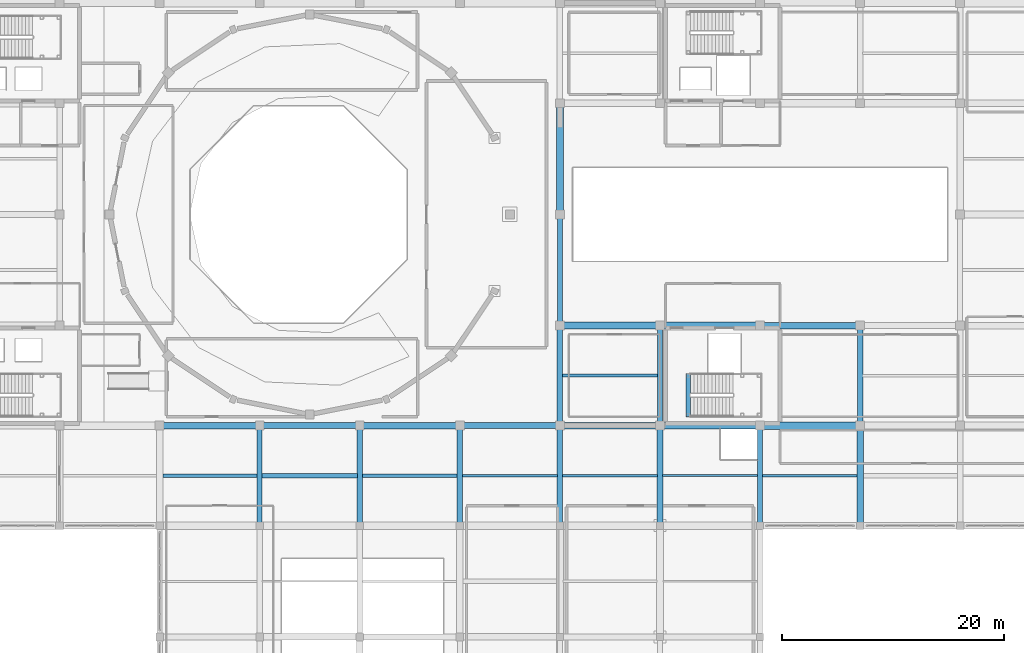
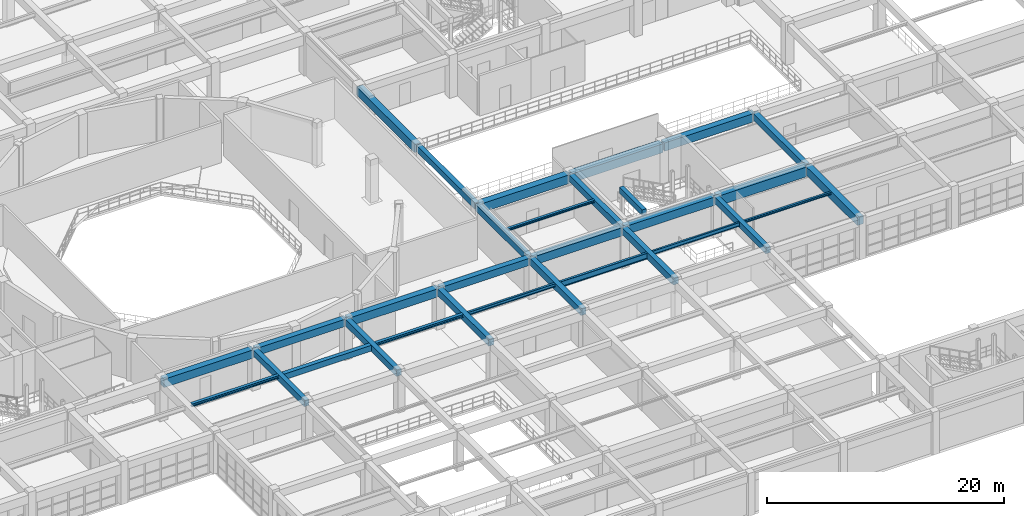
# One storey, part 47 of 133: 31 beams.
"""IFC4 building model written with IfcOpenShell, lengths in metres."""

from ifc_helpers import new_model, si_unit, direction, frame, origin, origin_2d, place, context, subcontext, project, spatial, rectangle, i_section, extrude, material, material_profile, profile_set, type_object, element, save


model = new_model("IFC4")

# Units and contexts
model_context = context("Model", 3, precision=1e-05, world=origin(), true_north=direction((0.0, 1.0)))
body_context = subcontext(model_context, "Body", "Model", "MODEL_VIEW")
ifc_project = project(units=[si_unit("LENGTHUNIT", "METRE"), si_unit("AREAUNIT", "SQUARE_METRE"), si_unit("VOLUMEUNIT", "CUBIC_METRE"), si_unit("PLANEANGLEUNIT", "RADIAN"), si_unit("MASSUNIT", "GRAM", prefix="KILO")], contexts=[model_context])

# Site, building, storey
site_placement = place(None, origin())
site = spatial("IfcSite", under=ifc_project, at=site_placement, CompositionType="ELEMENT")
building_placement = place(site_placement, origin())
building = spatial("IfcBuilding", under=site, at=building_placement, Name="Miravela Opera House", CompositionType="ELEMENT")
storey_placement = place(building_placement, frame((0.0, 0.0, 5.10009765625)))
storey = spatial("IfcBuildingStorey", under=building, at=storey_placement, Name="L01", CompositionType="ELEMENT", Elevation=5.10009765625)

# Beams
ifc_material_1 = material(Name="Concrete C35/45", Category="concrete")
ifc_material_profile_1 = material_profile(ifc_material_1, rectangle(XDim=0.39990234375, YDim=0.60009765625, at=origin_2d()), Name="RC-BM-400X600")
ifc_profile_set_1 = profile_set([ifc_material_profile_1])
beam_type_1 = type_object("IfcBeamType", Name="STR-BM-RC400X600", PredefinedType="JOIST", material=ifc_profile_set_1)
beam_1_placement = place(storey_placement, frame((72.2099609375, 32.5, 3.85986328125), z_axis=(1.0, 0.0, 0.0), x_axis=(0.0, 1.0, 0.0)))
element("IfcBeam", 1, at=beam_1_placement, inside=storey, type_object=beam_type_1, Name="Secondary Floor Joist L01 9-10/D-E", PredefinedType="JOIST", context=body_context, shape_type="SweptSolid", body=[
    extrude(rectangle(XDim=0.39990234375, YDim=0.60009765625, at=origin_2d()), origin(), (0.0, 0.0, 1.0), 8.56494140625),
])
beam_2_placement = place(storey_placement, frame((110.5400390625, 37.800048828125, 4.119873046875), z_axis=(0.0, 1.0, 0.0), x_axis=(-1.0, 0.0, 0.0)))
element("IfcBeam", 2, at=beam_2_placement, inside=storey, type_object=beam_type_1, Name="Stair K4 Opening Header Trimmer Beam 02", PredefinedType="JOIST", context=body_context, shape_type="SweptSolid", body=[
    extrude(rectangle(XDim=0.39990234375, YDim=0.60009765625, at=origin_2d()), origin(), (0.0, 0.0, 1.0), 3.8798828125),
])
ifc_material_profile_2 = material_profile(ifc_material_1, rectangle(XDim=0.449951171875, YDim=0.64990234375, at=origin_2d()), Name="RC-BM-450X650")
ifc_profile_set_2 = profile_set([ifc_material_profile_2])
beam_type_2 = type_object("IfcBeamType", Name="STR-BM-RC450X650", PredefinedType="BEAM", material=ifc_profile_set_2)
beam_3_placement = place(storey_placement, frame((72.0, 28.080078125, 3.8349609375), z_axis=(0.0, 1.0, 0.0), x_axis=(-1.0, 0.0, 0.0)))
element("IfcBeam", 3, at=beam_3_placement, inside=storey, type_object=beam_type_2, Name="Floor Girder L01 9/D-E", PredefinedType="BEAM", context=body_context, shape_type="SweptSolid", body=[
    extrude(rectangle(XDim=0.449951171875, YDim=0.64990234375, at=origin_2d()), origin(), (0.0, 0.0, 1.0), 8.83984375),
])
beam_4_placement = place(storey_placement, frame((99.0, 46.080078125, 3.8349609375), z_axis=(0.0, 1.0, 0.0), x_axis=(-1.0, 0.0, 0.0)))
element("IfcBeam", 4, at=beam_4_placement, inside=storey, type_object=beam_type_2, Name="Floor Girder L01 12/F-G", PredefinedType="BEAM", context=body_context, shape_type="SweptSolid", body=[
    extrude(rectangle(XDim=0.449951171875, YDim=0.64990234375, at=origin_2d()), origin(), (0.0, 0.0, 1.0), 9.83984375),
])
beam_5_placement = place(storey_placement, frame((117.0, 28.080078125, 3.8349609375), z_axis=(0.0, 1.0, 0.0), x_axis=(-1.0, 0.0, 0.0)))
element("IfcBeam", 5, at=beam_5_placement, inside=storey, type_object=beam_type_2, Name="Floor Girder L01 14/D-E", PredefinedType="BEAM", context=body_context, shape_type="SweptSolid", body=[
    extrude(rectangle(XDim=0.449951171875, YDim=0.64990234375, at=origin_2d()), origin(), (0.0, 0.0, 1.0), 8.83984375),
])
ifc_material_profile_3 = material_profile(ifc_material_1, rectangle(XDim=0.47998046875, YDim=0.679931640625, at=origin_2d()), Name="RC-BM-480X680")
ifc_profile_set_3 = profile_set([ifc_material_profile_3])
beam_type_3 = type_object("IfcBeamType", Name="STR-BM-RC480X680", PredefinedType="BEAM", material=ifc_profile_set_3)
for number, where, z_axis, x_axis, name in (
    (6, (81.0, 28.080078125, 3.81982421875), (0.0, 1.0, 0.0), (-1.0, 0.0, 0.0), "Floor Girder L01 10/D-E"),
    (7, (99.0, 37.080078125, 3.81982421875), (0.0, 1.0, 0.0), (-1.0, 0.0, 0.0), "Floor Girder L01 12/E-F"),
    (8, (108.0, 37.080078125, 3.81982421875), (0.0, 1.0, 0.0), (-1.0, 0.0, 0.0), "Floor Girder L01 13/E-F"),
):
    element("IfcBeam", number, at=place(storey_placement, frame(where, z_axis=z_axis, x_axis=x_axis)), inside=storey, type_object=beam_type_3, Name=name, PredefinedType="BEAM", context=body_context, shape_type="SweptSolid", body=[
        extrude(rectangle(XDim=0.47998046875, YDim=0.679931640625, at=origin_2d()), origin(), (0.0, 0.0, 1.0), 8.83984375),
    ])
ifc_material_profile_4 = material_profile(ifc_material_1, rectangle(XDim=0.5, YDim=0.699951171875, at=origin_2d()), Name="RC-BM-500X700")
ifc_profile_set_4 = profile_set([ifc_material_profile_4])
beam_type_4 = type_object("IfcBeamType", Name="STR-BM-RC500X700", PredefinedType="BEAM", material=ifc_profile_set_4)
for number, where, z_axis, x_axis, name in (
    (9, (90.0, 28.080078125, 3.809814453125), (0.0, 1.0, 0.0), (-1.0, 0.0, 0.0), "Floor Girder L01 11/D-E"),
    (10, (99.0, 28.080078125, 3.809814453125), (0.0, 1.0, 0.0), (-1.0, 0.0, 0.0), "Floor Girder L01 12/D-E"),
    (11, (108.0, 28.080078125, 3.809814453125), (0.0, 1.0, 0.0), (-1.0, 0.0, 0.0), "Floor Girder L01 13/D-E"),
    (12, (126.0, 37.080078125, 3.809814453125), (0.0, 1.0, 0.0), (-1.0, 0.0, 0.0), "Floor Girder L01 15/E-F"),
):
    element("IfcBeam", number, at=place(storey_placement, frame(where, z_axis=z_axis, x_axis=x_axis)), inside=storey, type_object=beam_type_4, Name=name, PredefinedType="BEAM", context=body_context, shape_type="SweptSolid", body=[
        extrude(rectangle(XDim=0.5, YDim=0.699951171875, at=origin_2d()), origin(), (0.0, 0.0, 1.0), 8.83984375),
    ])
ifc_material_profile_5 = material_profile(ifc_material_1, rectangle(XDim=0.550048828125, YDim=0.75, at=origin_2d()), Name="RC-BM-550X750")
ifc_profile_set_5 = profile_set([ifc_material_profile_5])
beam_type_5 = type_object("IfcBeamType", Name="STR-BM-RC550X750", PredefinedType="BEAM", material=ifc_profile_set_5)
for number, where, z_axis, x_axis, name in (
    (13, (72.080078125, 37.0, 3.784912109375), (1.0, 0.0, 0.0), (0.0, 1.0, 0.0), "Floor Girder L01 9-10/E"),
    (14, (90.080078125, 37.0, 3.784912109375), (1.0, 0.0, 0.0), (0.0, 1.0, 0.0), "Floor Girder L01 11-12/E"),
):
    element("IfcBeam", number, at=place(storey_placement, frame(where, z_axis=z_axis, x_axis=x_axis)), inside=storey, type_object=beam_type_5, Name=name, PredefinedType="BEAM", context=body_context, shape_type="SweptSolid", body=[
        extrude(rectangle(XDim=0.550048828125, YDim=0.75, at=origin_2d()), origin(), (0.0, 0.0, 1.0), 8.83984375),
    ])
ifc_material_2 = material(Name="Concrete C40/50", Category="concrete")
ifc_material_profile_6 = material_profile(ifc_material_2, rectangle(XDim=0.60009765625, YDim=0.85009765625, at=origin_2d()), Name="RC-BM-600X850")
ifc_profile_set_6 = profile_set([ifc_material_profile_6])
beam_type_6 = type_object("IfcBeamType", Name="STR-BM-RC600X850", PredefinedType="BEAM", material=ifc_profile_set_6)
for number, where, z_axis, x_axis, name in (
    (15, (63.080078125, 37.0, 3.73486328125), (1.0, 0.0, 0.0), (0.0, 1.0, 0.0), "Floor Girder L01 8-9/E"),
    (16, (81.080078125, 37.0, 3.73486328125), (1.0, 0.0, 0.0), (0.0, 1.0, 0.0), "Floor Girder L01 10-11/E"),
    (17, (99.080078125, 37.0, 3.73486328125), (1.0, 0.0, 0.0), (0.0, 1.0, 0.0), "Floor Girder L01 12-13/E"),
    (18, (108.080078125, 37.0, 3.73486328125), (1.0, 0.0, 0.0), (0.0, 1.0, 0.0), "Floor Girder L01 13-14/E"),
    (19, (117.080078125, 46.0, 3.73486328125), (1.0, 0.0, 0.0), (0.0, 1.0, 0.0), "Floor Girder L01 14-15/F"),
):
    element("IfcBeam", number, at=place(storey_placement, frame(where, z_axis=z_axis, x_axis=x_axis)), inside=storey, type_object=beam_type_6, Name=name, PredefinedType="BEAM", context=body_context, shape_type="SweptSolid", body=[
        extrude(rectangle(XDim=0.60009765625, YDim=0.85009765625, at=origin_2d()), origin(), (0.0, 0.0, 1.0), 8.83984375),
    ])
beam_6_placement = place(storey_placement, frame((99.0, 56.080078125, 3.73486328125), z_axis=(0.0, 1.0, 0.0), x_axis=(-1.0, 0.0, 0.0)))
element("IfcBeam", 20, at=beam_6_placement, inside=storey, type_object=beam_type_6, Name="Floor Girder L01 12/G-H", PredefinedType="BEAM", context=body_context, shape_type="SweptSolid", body=[
    extrude(rectangle(XDim=0.60009765625, YDim=0.85009765625, at=origin_2d()), origin(), (0.0, 0.0, 1.0), 9.83984375),
])
beam_7_placement = place(storey_placement, frame((126.0, 28.080078125, 3.73486328125), z_axis=(0.0, 1.0, 0.0), x_axis=(-1.0, 0.0, 0.0)))
element("IfcBeam", 21, at=beam_7_placement, inside=storey, type_object=beam_type_6, Name="Floor Girder L01 15/D-E", PredefinedType="BEAM", context=body_context, shape_type="SweptSolid", body=[
    extrude(rectangle(XDim=0.60009765625, YDim=0.85009765625, at=origin_2d()), origin(), (0.0, 0.0, 1.0), 8.83984375),
])
ifc_material_profile_7 = material_profile(ifc_material_2, rectangle(XDim=0.64990234375, YDim=0.89990234375, at=origin_2d()), Name="RC-BM-650X900")
ifc_profile_set_7 = profile_set([ifc_material_profile_7])
beam_type_7 = type_object("IfcBeamType", Name="STR-BM-RC650X900", PredefinedType="BEAM", material=ifc_profile_set_7)
for number, where, z_axis, x_axis, name in (
    (22, (99.080078125, 46.0, 3.7099609375), (1.0, 0.0, 0.0), (0.0, 1.0, 0.0), "Floor Girder L01 12-13/F"),
    (23, (108.080078125, 46.0, 3.7099609375), (1.0, 0.0, 0.0), (0.0, 1.0, 0.0), "Floor Girder L01 13-14/F"),
):
    element("IfcBeam", number, at=place(storey_placement, frame(where, z_axis=z_axis, x_axis=x_axis)), inside=storey, type_object=beam_type_7, Name=name, PredefinedType="BEAM", context=body_context, shape_type="SweptSolid", body=[
        extrude(rectangle(XDim=0.64990234375, YDim=0.89990234375, at=origin_2d()), origin(), (0.0, 0.0, 1.0), 8.83984375),
    ])
ifc_material_profile_8 = material_profile(ifc_material_2, rectangle(XDim=0.699951171875, YDim=1.0, at=origin_2d()), Name="RC-BM-700X1000")
ifc_profile_set_8 = profile_set([ifc_material_profile_8])
beam_type_8 = type_object("IfcBeamType", Name="STR-BM-RC700X1000", PredefinedType="BEAM", material=ifc_profile_set_8)
beam_8_placement = place(storey_placement, frame((117.080078125, 37.0, 3.659912109375), z_axis=(1.0, 0.0, 0.0), x_axis=(0.0, 1.0, 0.0)))
element("IfcBeam", 24, at=beam_8_placement, inside=storey, type_object=beam_type_8, Name="Floor Girder L01 14-15/E", PredefinedType="BEAM", context=body_context, shape_type="SweptSolid", body=[
    extrude(rectangle(XDim=0.699951171875, YDim=1.0, at=origin_2d()), origin(), (0.0, 0.0, 1.0), 8.83984375),
])
ifc_material_3 = material(Name="Structural steel ASTM A992 Gr. 50", Category="steel")
ifc_material_profile_9 = material_profile(ifc_material_3, i_section(OverallWidth=0.201904296875, OverallDepth=0.2470703125, WebThickness=0.00732421875, FlangeThickness=0.010986328125, FilletRadius=0.011962890625, at=origin_2d()), Name="W250X49")
ifc_profile_set_9 = profile_set([ifc_material_profile_9])
beam_type_9 = type_object("IfcBeamType", Name="STR-BM-W250X49", PredefinedType="LINTEL", material=ifc_profile_set_9)
beam_9_placement = place(storey_placement, frame((117.2099609375, 32.5, 4.036376953125), z_axis=(1.0, 0.0, 0.0), x_axis=(0.0, 1.0, 0.0)))
element("IfcBeam", 25, at=beam_9_placement, inside=storey, type_object=beam_type_9, Name="Secondary Floor Joist L01 14-15/D-E", PredefinedType="LINTEL", context=body_context, shape_type="SweptSolid", body=[
    extrude(i_section(OverallWidth=0.201904296875, OverallDepth=0.2470703125, WebThickness=0.00732421875, FlangeThickness=0.010986328125, FilletRadius=0.011962890625, at=origin_2d()), origin(), (0.0, 0.0, 1.0), 8.505126953125),
])
ifc_material_profile_10 = material_profile(ifc_material_3, i_section(OverallWidth=0.25390625, OverallDepth=0.2529296875, WebThickness=0.008544921875, FlangeThickness=0.01416015625, FilletRadius=0.011962890625, at=origin_2d()), Name="W250X73")
ifc_profile_set_10 = profile_set([ifc_material_profile_10])
beam_type_10 = type_object("IfcBeamType", Name="STR-BM-W250X73", PredefinedType="JOIST", material=ifc_profile_set_10)
beam_10_placement = place(storey_placement, frame((99.22509765625, 41.5, 4.033447265625), z_axis=(1.0, 0.0, 0.0), x_axis=(0.0, 1.0, 0.0)))
element("IfcBeam", 26, at=beam_10_placement, inside=storey, type_object=beam_type_10, Name="Secondary Floor Joist L01 12-13/E-F", PredefinedType="JOIST", context=body_context, shape_type="SweptSolid", body=[
    extrude(i_section(OverallWidth=0.25390625, OverallDepth=0.2529296875, WebThickness=0.008544921875, FlangeThickness=0.01416015625, FilletRadius=0.011962890625, at=origin_2d()), origin(), (0.0, 0.0, 1.0), 8.5498046875),
])
ifc_material_profile_11 = material_profile(ifc_material_3, i_section(OverallWidth=0.304931640625, OverallDepth=0.30810546875, WebThickness=0.010009765625, FlangeThickness=0.015380859375, FilletRadius=0.013916015625, at=origin_2d()), Name="W310X97")
ifc_profile_set_11 = profile_set([ifc_material_profile_11])
beam_type_11 = type_object("IfcBeamType", Name="STR-BM-W310X97", PredefinedType="JOIST", material=ifc_profile_set_11)
beam_11_placement = place(storey_placement, frame((63.284912109375, 32.5, 4.005859375), z_axis=(1.0, 0.0, 0.0), x_axis=(0.0, 1.0, 0.0)))
element("IfcBeam", 27, at=beam_11_placement, inside=storey, type_object=beam_type_11, Name="Secondary Floor Joist L01 8-9/D-E", PredefinedType="JOIST", context=body_context, shape_type="SweptSolid", body=[
    extrude(i_section(OverallWidth=0.304931640625, OverallDepth=0.30810546875, WebThickness=0.010009765625, FlangeThickness=0.015380859375, FilletRadius=0.013916015625, at=origin_2d()), origin(), (0.0, 0.0, 1.0), 8.505126953125),
])
beam_12_placement = place(storey_placement, frame((81.22509765625, 32.5, 4.005859375), z_axis=(1.0, 0.0, 0.0), x_axis=(0.0, 1.0, 0.0)))
element("IfcBeam", 28, at=beam_12_placement, inside=storey, type_object=beam_type_11, Name="Secondary Floor Joist L01 10-11/D-E", PredefinedType="JOIST", context=body_context, shape_type="SweptSolid", body=[
    extrude(i_section(OverallWidth=0.304931640625, OverallDepth=0.30810546875, WebThickness=0.010009765625, FlangeThickness=0.015380859375, FilletRadius=0.013916015625, at=origin_2d()), origin(), (0.0, 0.0, 1.0), 8.539794921875),
])
ifc_material_profile_12 = material_profile(ifc_material_3, i_section(OverallWidth=0.2041015625, OverallDepth=0.35009765625, WebThickness=0.008544921875, FlangeThickness=0.01513671875, FilletRadius=0.013916015625, at=origin_2d()), Name="W360X72")
ifc_profile_set_12 = profile_set([ifc_material_profile_12])
beam_type_12 = type_object("IfcBeamType", Name="STR-BM-W360X72", PredefinedType="JOIST", material=ifc_profile_set_12)
beam_13_placement = place(storey_placement, frame((90.235107421875, 32.5, 3.98486328125), z_axis=(1.0, 0.0, 0.0), x_axis=(0.0, 1.0, 0.0)))
element("IfcBeam", 29, at=beam_13_placement, inside=storey, type_object=beam_type_12, Name="Secondary Floor Joist L01 11-12/D-E", PredefinedType="JOIST", context=body_context, shape_type="SweptSolid", body=[
    extrude(i_section(OverallWidth=0.2041015625, OverallDepth=0.35009765625, WebThickness=0.008544921875, FlangeThickness=0.01513671875, FilletRadius=0.013916015625, at=origin_2d()), origin(), (0.0, 0.0, 1.0), 8.52978515625),
])
ifc_material_profile_13 = material_profile(ifc_material_3, i_section(OverallWidth=0.177978515625, OverallDepth=0.406982421875, WebThickness=0.0078125, FlangeThickness=0.0126953125, FilletRadius=0.012939453125, at=origin_2d()), Name="W410X60")
ifc_profile_set_13 = profile_set([ifc_material_profile_13])
beam_type_13 = type_object("IfcBeamType", Name="STR-BM-W410X60", PredefinedType="JOIST", material=ifc_profile_set_13)
beam_14_placement = place(storey_placement, frame((108.235107421875, 32.5, 3.956298828125), z_axis=(1.0, 0.0, 0.0), x_axis=(0.0, 1.0, 0.0)))
element("IfcBeam", 30, at=beam_14_placement, inside=storey, type_object=beam_type_13, Name="Secondary Floor Joist L01 13-14/D-E", PredefinedType="JOIST", context=body_context, shape_type="SweptSolid", body=[
    extrude(i_section(OverallWidth=0.177978515625, OverallDepth=0.406982421875, WebThickness=0.0078125, FlangeThickness=0.0126953125, FilletRadius=0.012939453125, at=origin_2d()), origin(), (0.0, 0.0, 1.0), 8.554931640625),
])
ifc_material_profile_14 = material_profile(ifc_material_3, i_section(OverallWidth=0.22802734375, OverallDepth=0.60791015625, WebThickness=0.01123046875, FlangeThickness=0.017333984375, FilletRadius=0.01611328125, at=origin_2d()), Name="W610X113")
ifc_profile_set_14 = profile_set([ifc_material_profile_14])
beam_type_14 = type_object("IfcBeamType", Name="STR-BM-W610X113", PredefinedType="BEAM", material=ifc_profile_set_14)
beam_15_placement = place(storey_placement, frame((99.235107421875, 32.5, 3.85595703125), z_axis=(1.0, 0.0, 0.0), x_axis=(0.0, 1.0, 0.0)))
element("IfcBeam", 31, at=beam_15_placement, inside=storey, type_object=beam_type_14, Name="Secondary Floor Joist L01 12-13/D-E", PredefinedType="BEAM", context=body_context, shape_type="SweptSolid", body=[
    extrude(i_section(OverallWidth=0.22802734375, OverallDepth=0.60791015625, WebThickness=0.01123046875, FlangeThickness=0.017333984375, FilletRadius=0.01611328125, at=origin_2d()), origin(), (0.0, 0.0, 1.0), 8.52978515625),
])

save(model, "model.ifc")
